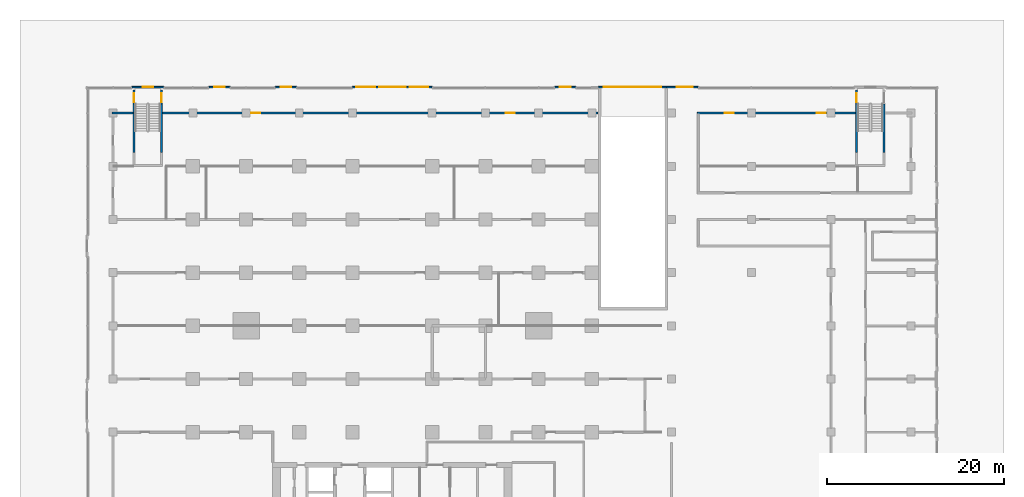
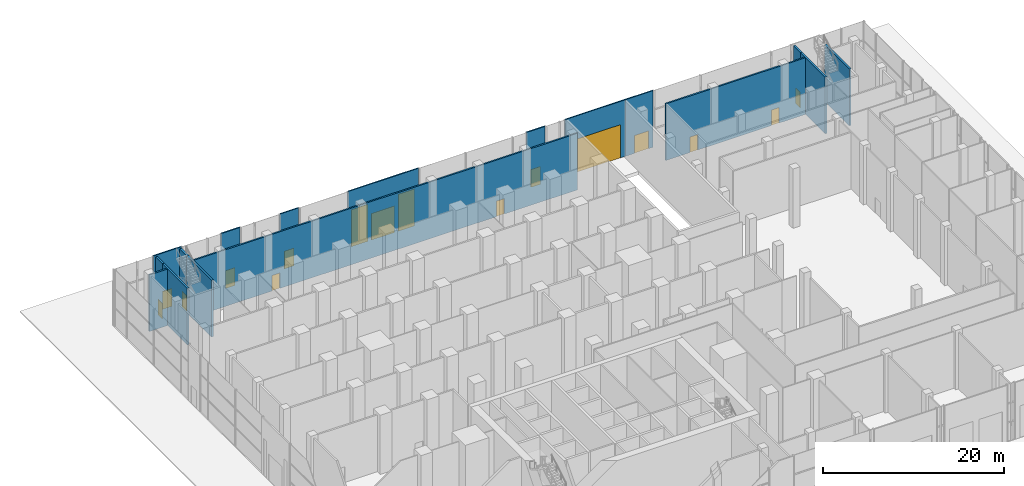
# One storey, part 25 of 29: 17 walls, 14 doors, 2 windows, 16 openings.
"""IFC4 building model written with IfcOpenShell, lengths in metres."""

from ifc_helpers import new_model, si_unit, direction, frame, frame_2d, origin, place, context, subcontext, project, spatial, rectangle, extrude, material, layer, layer_set, type_object, element, fill, save


model = new_model("IFC4")

# Units and contexts
model_context = context("Model", 3, precision=1e-05, world=origin(), true_north=direction((0.0, 1.0)))
body_context = subcontext(model_context, "Body", "Model", "MODEL_VIEW")
ifc_project = project(units=[si_unit("LENGTHUNIT", "METRE"), si_unit("AREAUNIT", "SQUARE_METRE"), si_unit("VOLUMEUNIT", "CUBIC_METRE"), si_unit("PLANEANGLEUNIT", "RADIAN"), si_unit("MASSUNIT", "GRAM", prefix="KILO")], contexts=[model_context])

# Site, building, storey
site_placement = place(None, origin())
site = spatial("IfcSite", under=ifc_project, at=site_placement, CompositionType="ELEMENT")
building_placement = place(site_placement, origin())
building = spatial("IfcBuilding", under=site, at=building_placement, Name="Finial Court Residences", CompositionType="ELEMENT")
storey_placement = place(building_placement, origin())
storey = spatial("IfcBuildingStorey", under=building, at=storey_placement, Name="L00", CompositionType="ELEMENT", Elevation=0.0)

# Wall
ifc_material_1 = material(Name="Gypsum board")
ifc_layer_1 = layer(ifc_material_1, 0.02490234375)
ifc_material_2 = material(Name="Acoustic mineral wool in double frame")
ifc_layer_2 = layer(ifc_material_2, 0.14990234375)
ifc_layer_3 = layer(ifc_material_1, 0.02490234375)
ifc_layer_set_1 = layer_set([ifc_layer_1, ifc_layer_2, ifc_layer_3], Name="Corridor wall 200, 1 hour")
wall_type_1 = type_object("IfcWallType", Name="Corridor wall 200, 1 hour", PredefinedType="PARTITIONING", material=ifc_layer_set_1)
wall_1_placement = place(storey_placement, frame((-31.60009765625, 31.5, 0.0), z_axis=(0.0, 0.0, 1.0), x_axis=(1.0, 0.0, 0.0)))
element("IfcWall", 1, at=wall_1_placement, inside=storey, type_object=wall_type_1, Name="Partition L00-030", PredefinedType="PARTITIONING", context=body_context, shape_type="SweptSolid", body=[
    extrude(rectangle(XDim=2.35009765625, YDim=0.199951171875, at=frame_2d((1.175048828125, 0.0))), origin(), (0.0, 0.0, 1.0), 7.64990234375),
])

# Wall, openings, doors
wall_2_placement = place(storey_placement, frame((-25.89990234375, 31.5, 0.0), z_axis=(0.0, 0.0, 1.0), x_axis=(1.0, 0.0, 0.0)))
wall_2 = element("IfcWall", 2, at=wall_2_placement, inside=storey, type_object=wall_type_1, Name="Partition L00-031", PredefinedType="PARTITIONING", context=body_context, shape_type="SweptSolid", body=[
    extrude(rectangle(XDim=49.0498046875, YDim=0.199951171875, at=frame_2d((24.52490234375, 0.0))), origin(), (0.0, 0.0, 1.0), 7.64990234375),
])
opening_1_placement = place(wall_2_placement, frame((10.0, 0.0, 0.0)))
opening_1 = element("IfcOpeningElement", 3, at=opening_1_placement, cuts=wall_2, Name="Opening L00-D031", PredefinedType="OPENING", context=body_context, shape_type="SweptSolid", body=[
    extrude(rectangle(XDim=1.0, YDim=2.10009765625, at=frame_2d((0.5, 1.050048828125))), frame((0.0, 0.10986328125, 0.0), z_axis=(0.0, -1.0, 0.0), x_axis=(1.0, 0.0, 0.0)), (0.0, 0.0, 1.0), 0.219970703125),
])
opening_2_placement = place(wall_2_placement, frame((38.699951171875, 0.0, 0.0)))
opening_2 = element("IfcOpeningElement", 4, at=opening_2_placement, cuts=wall_2, Name="Opening L00-D032", PredefinedType="OPENING", context=body_context, shape_type="SweptSolid", body=[
    extrude(rectangle(XDim=1.0, YDim=2.10009765625, at=frame_2d((0.5, 1.050048828125))), frame((0.0, 0.10986328125, 0.0), z_axis=(0.0, -1.0, 0.0), x_axis=(1.0, 0.0, 0.0)), (0.0, 0.0, 1.0), 0.219970703125),
])
ifc_material_3 = material(Name="Timber door leaf in hollow metal frame", Category="wood")
door_type_1 = type_object("IfcDoorType", Name="Fire door set 1000 x 2100, 30 minutes", OperationType="SINGLE_SWING_LEFT", PredefinedType="DOOR", material=ifc_material_3)
door_1_placement = place(opening_1_placement, origin())
door_1 = element("IfcDoor", 5, at=door_1_placement, inside=storey, type_object=door_type_1, Name="Door L00-D031", OperationType="SINGLE_SWING_LEFT", OverallHeight=2.10009765625, OverallWidth=1.0, PredefinedType="DOOR", context=body_context, shape_type="SweptSolid", body=[
    extrude(rectangle(XDim=1.0, YDim=2.10009765625, at=frame_2d((0.5, 1.050048828125))), frame((0.0, 0.02490234375, 0.0), z_axis=(0.0, -1.0, 0.0), x_axis=(1.0, 0.0, 0.0)), (0.0, 0.0, 1.0), 0.050048828125),
])
fill(opening_1, door_1)
door_2_placement = place(opening_2_placement, origin())
door_2 = element("IfcDoor", 6, at=door_2_placement, inside=storey, type_object=door_type_1, Name="Door L00-D032", OperationType="SINGLE_SWING_RIGHT", OverallHeight=2.10009765625, OverallWidth=1.0, PredefinedType="DOOR", context=body_context, shape_type="SweptSolid", body=[
    extrude(rectangle(XDim=1.0, YDim=2.10009765625, at=frame_2d((0.5, 1.050048828125))), frame((0.0, 0.02490234375, 0.0), z_axis=(0.0, -1.0, 0.0), x_axis=(1.0, 0.0, 0.0)), (0.0, 0.0, 1.0), 0.050048828125),
])
fill(opening_2, door_2)

wall_3_placement = place(storey_placement, frame((34.39990234375, 31.5, 0.0), z_axis=(0.0, 0.0, 1.0), x_axis=(1.0, 0.0, 0.0)))
wall_3 = element("IfcWall", 7, at=wall_3_placement, inside=storey, type_object=wall_type_1, Name="Partition L00-032", PredefinedType="PARTITIONING", context=body_context, shape_type="SweptSolid", body=[
    extrude(rectangle(XDim=17.85009765625, YDim=0.199951171875, at=frame_2d((8.925048828125, 0.0))), origin(), (0.0, 0.0, 1.0), 7.64990234375),
])
opening_3_placement = place(wall_3_placement, frame((3.10009765625, 0.0, 0.0)))
opening_3 = element("IfcOpeningElement", 8, at=opening_3_placement, cuts=wall_3, Name="Opening L00-D033", PredefinedType="OPENING", context=body_context, shape_type="SweptSolid", body=[
    extrude(rectangle(XDim=1.0, YDim=2.10009765625, at=frame_2d((0.5, 1.050048828125))), frame((0.0, 0.10986328125, 0.0), z_axis=(0.0, -1.0, 0.0), x_axis=(1.0, 0.0, 0.0)), (0.0, 0.0, 1.0), 0.219970703125),
])
opening_4_placement = place(wall_3_placement, frame((13.5, 0.0, 0.0)))
opening_4 = element("IfcOpeningElement", 9, at=opening_4_placement, cuts=wall_3, Name="Opening L00-D034", PredefinedType="OPENING", context=body_context, shape_type="SweptSolid", body=[
    extrude(rectangle(XDim=1.0, YDim=2.10009765625, at=frame_2d((0.5, 1.050048828125))), frame((0.0, 0.10986328125, 0.0), z_axis=(0.0, -1.0, 0.0), x_axis=(1.0, 0.0, 0.0)), (0.0, 0.0, 1.0), 0.219970703125),
])
door_3_placement = place(opening_3_placement, origin())
door_3 = element("IfcDoor", 10, at=door_3_placement, inside=storey, type_object=door_type_1, Name="Door L00-D033", OperationType="SINGLE_SWING_LEFT", OverallHeight=2.10009765625, OverallWidth=1.0, PredefinedType="DOOR", context=body_context, shape_type="SweptSolid", body=[
    extrude(rectangle(XDim=1.0, YDim=2.10009765625, at=frame_2d((0.5, 1.050048828125))), frame((0.0, 0.02490234375, 0.0), z_axis=(0.0, -1.0, 0.0), x_axis=(1.0, 0.0, 0.0)), (0.0, 0.0, 1.0), 0.050048828125),
])
fill(opening_3, door_3)
door_4_placement = place(opening_4_placement, origin())
door_4 = element("IfcDoor", 11, at=door_4_placement, inside=storey, type_object=door_type_1, Name="Door L00-D034", OperationType="SINGLE_SWING_RIGHT", OverallHeight=2.10009765625, OverallWidth=1.0, PredefinedType="DOOR", context=body_context, shape_type="SweptSolid", body=[
    extrude(rectangle(XDim=1.0, YDim=2.10009765625, at=frame_2d((0.5, 1.050048828125))), frame((0.0, 0.02490234375, 0.0), z_axis=(0.0, -1.0, 0.0), x_axis=(1.0, 0.0, 0.0)), (0.0, 0.0, 1.0), 0.050048828125),
])
fill(opening_4, door_4)

# Wall, opening, door
ifc_material_4 = material(Name="Natural limestone", Category="masonry")
ifc_layer_4 = layer(ifc_material_4, 0.14990234375)
ifc_layer_set_2 = layer_set([ifc_layer_4], Name="Entrance portal wall, limestone 150")
wall_type_2 = type_object("IfcWallType", Name="Entrance portal wall, limestone 150", PredefinedType="SOLIDWALL", material=ifc_layer_set_2)
wall_4_placement = place(storey_placement, frame((-29.375, 34.425048828125, 0.0), z_axis=(0.0, 0.0, 1.0), x_axis=(1.0, 0.0, 0.0)))
wall_4 = element("IfcWall", 12, at=wall_4_placement, inside=storey, type_object=wall_type_2, Name="E-L00-ENT7", PredefinedType="SOLIDWALL", context=body_context, shape_type="SweptSolid", body=[
    extrude(rectangle(XDim=3.60009765625, YDim=0.14990234375, at=frame_2d((1.800048828125, 0.0))), origin(), (0.0, 0.0, 1.0), 7.64990234375),
])
opening_5_placement = place(wall_4_placement, frame((1.199951171875, 0.0, 0.0)))
opening_5 = element("IfcOpeningElement", 13, at=opening_5_placement, cuts=wall_4, Name="Opening DE00-07", PredefinedType="OPENING", context=body_context, shape_type="SweptSolid", body=[
    extrude(rectangle(XDim=1.199951171875, YDim=2.39990234375, at=frame_2d((0.60009765625, 1.199951171875))), frame((0.0, 0.0849609375, 0.0), z_axis=(0.0, -1.0, 0.0), x_axis=(1.0, 0.0, 0.0)), (0.0, 0.0, 1.0), 0.169921875),
])
ifc_material_5 = material(Name="Steel S355", Category="steel")
door_type_2 = type_object("IfcDoorType", Name="Stair discharge door 1200 x 2400", OperationType="SINGLE_SWING_LEFT", PredefinedType="DOOR", material=ifc_material_5)
door_5_placement = place(opening_5_placement, origin())
door_5 = element("IfcDoor", 14, at=door_5_placement, inside=storey, type_object=door_type_2, Name="E-L00-ENT7-D", OperationType="SINGLE_SWING_RIGHT", OverallHeight=2.39990234375, OverallWidth=1.199951171875, PredefinedType="DOOR", context=body_context, shape_type="SweptSolid", body=[
    extrude(rectangle(XDim=1.199951171875, YDim=2.39990234375, at=frame_2d((0.60009765625, 1.199951171875))), frame((0.0, 0.02490234375, 0.0), z_axis=(0.0, -1.0, 0.0), x_axis=(1.0, 0.0, 0.0)), (0.0, 0.0, 1.0), 0.050048828125),
])
fill(opening_5, door_5)

# Wall, openings, door, windows
wall_5_placement = place(storey_placement, frame((-4.5, 34.425048828125, 0.0), z_axis=(0.0, 0.0, 1.0), x_axis=(1.0, 0.0, 0.0)))
wall_5 = element("IfcWall", 15, at=wall_5_placement, inside=storey, type_object=wall_type_2, Name="E-L00-ENT9", PredefinedType="SOLIDWALL", context=body_context, shape_type="SweptSolid", body=[
    extrude(rectangle(XDim=9.0, YDim=0.14990234375, at=frame_2d((4.5, 0.0))), origin(), (0.0, 0.0, 1.0), 7.64990234375),
])
opening_6_placement = place(wall_5_placement, frame((3.0, 0.0, 0.0)))
opening_6 = element("IfcOpeningElement", 16, at=opening_6_placement, cuts=wall_5, Name="Opening DE00-09", PredefinedType="OPENING", context=body_context, shape_type="SweptSolid", body=[
    extrude(rectangle(XDim=3.0, YDim=3.60009765625, at=frame_2d((1.5, 1.800048828125))), frame((0.0, 0.0849609375, 0.0), z_axis=(0.0, -1.0, 0.0), x_axis=(1.0, 0.0, 0.0)), (0.0, 0.0, 1.0), 0.169921875),
])
opening_7_placement = place(wall_5_placement, frame((0.449951171875, 0.0, 0.0)))
opening_7 = element("IfcOpeningElement", 17, at=opening_7_placement, cuts=wall_5, Name="Opening WE00-03", PredefinedType="OPENING", context=body_context, shape_type="SweptSolid", body=[
    extrude(rectangle(XDim=2.10009765625, YDim=5.0, at=frame_2d((1.050048828125, 2.5))), frame((0.0, 0.0849609375, 0.0), z_axis=(0.0, -1.0, 0.0), x_axis=(1.0, 0.0, 0.0)), (0.0, 0.0, 1.0), 0.169921875),
])
opening_8_placement = place(wall_5_placement, frame((6.449951171875, 0.0, 0.0)))
opening_8 = element("IfcOpeningElement", 18, at=opening_8_placement, cuts=wall_5, Name="Opening WE00-04", PredefinedType="OPENING", context=body_context, shape_type="SweptSolid", body=[
    extrude(rectangle(XDim=2.10009765625, YDim=5.0, at=frame_2d((1.050048828125, 2.5))), frame((0.0, 0.0849609375, 0.0), z_axis=(0.0, -1.0, 0.0), x_axis=(1.0, 0.0, 0.0)), (0.0, 0.0, 1.0), 0.169921875),
])
ifc_material_6 = material(Name="Bronze anodised aluminium", Category="aluminium")
door_type_3 = type_object("IfcDoorType", Name="Entrance door set 3000 x 3600", OperationType="DOUBLE_DOOR_SINGLE_SWING", PredefinedType="DOOR", material=ifc_material_6)
door_6_placement = place(opening_6_placement, origin())
door_6 = element("IfcDoor", 19, at=door_6_placement, inside=storey, type_object=door_type_3, Name="E-L00-ENT9-D", OperationType="DOUBLE_DOOR_SINGLE_SWING", OverallHeight=3.60009765625, OverallWidth=3.0, PredefinedType="DOOR", context=body_context, shape_type="SweptSolid", body=[
    extrude(rectangle(XDim=3.0, YDim=3.60009765625, at=frame_2d((1.5, 1.800048828125))), frame((0.0, 0.02490234375, 0.0), z_axis=(0.0, -1.0, 0.0), x_axis=(1.0, 0.0, 0.0)), (0.0, 0.0, 1.0), 0.050048828125),
])
fill(opening_6, door_6)
ifc_material_7 = material(Name="Clear low-e glass", Category="glass")
window_type = type_object("IfcWindowType", Name="Entrance side light 2100 x 5000", PartitioningType="SINGLE_PANEL", PredefinedType="WINDOW", material=ifc_material_7)
window_1_placement = place(opening_7_placement, origin())
window_1 = element("IfcWindow", 20, at=window_1_placement, inside=storey, type_object=window_type, Name="E-L00-ENT9-W1", OverallHeight=5.0, OverallWidth=2.10009765625, PartitioningType="SINGLE_PANEL", PredefinedType="WINDOW", context=body_context, shape_type="SweptSolid", body=[
    extrude(rectangle(XDim=2.10009765625, YDim=5.0, at=frame_2d((1.050048828125, 2.5))), frame((0.0, 0.030029296875, 0.0), z_axis=(0.0, -1.0, 0.0), x_axis=(1.0, 0.0, 0.0)), (0.0, 0.0, 1.0), 0.06005859375),
])
fill(opening_7, window_1)
window_2_placement = place(opening_8_placement, origin())
window_2 = element("IfcWindow", 21, at=window_2_placement, inside=storey, type_object=window_type, Name="E-L00-ENT9-W2", OverallHeight=5.0, OverallWidth=2.10009765625, PartitioningType="SINGLE_PANEL", PredefinedType="WINDOW", context=body_context, shape_type="SweptSolid", body=[
    extrude(rectangle(XDim=2.10009765625, YDim=5.0, at=frame_2d((1.050048828125, 2.5))), frame((0.0, 0.030029296875, 0.0), z_axis=(0.0, -1.0, 0.0), x_axis=(1.0, 0.0, 0.0)), (0.0, 0.0, 1.0), 0.06005859375),
])
fill(opening_8, window_2)

# Wall, opening, door
wall_6_placement = place(storey_placement, frame((-20.699951171875, 34.425048828125, 0.0), z_axis=(0.0, 0.0, 1.0), x_axis=(1.0, 0.0, 0.0)))
wall_6 = element("IfcWall", 22, at=wall_6_placement, inside=storey, type_object=wall_type_2, Name="E-L00-ENT10", PredefinedType="SOLIDWALL", context=body_context, shape_type="SweptSolid", body=[
    extrude(rectangle(XDim=2.39990234375, YDim=0.14990234375, at=frame_2d((1.199951171875, 0.0))), origin(), (0.0, 0.0, 1.0), 7.64990234375),
])
opening_9_placement = place(wall_6_placement, frame((0.60009765625, 0.0, 0.0)))
opening_9 = element("IfcOpeningElement", 23, at=opening_9_placement, cuts=wall_6, Name="Opening DE00-10", PredefinedType="OPENING", context=body_context, shape_type="SweptSolid", body=[
    extrude(rectangle(XDim=1.199951171875, YDim=2.39990234375, at=frame_2d((0.60009765625, 1.199951171875))), frame((0.0, 0.0849609375, 0.0), z_axis=(0.0, -1.0, 0.0), x_axis=(1.0, 0.0, 0.0)), (0.0, 0.0, 1.0), 0.169921875),
])
door_type_4 = type_object("IfcDoorType", Name="Shopfront entrance door 1200 x 2400", OperationType="SINGLE_SWING_LEFT", PredefinedType="DOOR", material=ifc_material_6)
door_7_placement = place(opening_9_placement, origin())
door_7 = element("IfcDoor", 24, at=door_7_placement, inside=storey, type_object=door_type_4, Name="E-L00-ENT10-D", OperationType="SINGLE_SWING_LEFT", OverallHeight=2.39990234375, OverallWidth=1.199951171875, PredefinedType="DOOR", context=body_context, shape_type="SweptSolid", body=[
    extrude(rectangle(XDim=1.199951171875, YDim=2.39990234375, at=frame_2d((0.60009765625, 1.199951171875))), frame((0.0, 0.02490234375, 0.0), z_axis=(0.0, -1.0, 0.0), x_axis=(1.0, 0.0, 0.0)), (0.0, 0.0, 1.0), 0.050048828125),
])
fill(opening_9, door_7)

wall_7_placement = place(storey_placement, frame((-13.199951171875, 34.425048828125, 0.0), z_axis=(0.0, 0.0, 1.0), x_axis=(1.0, 0.0, 0.0)))
wall_7 = element("IfcWall", 25, at=wall_7_placement, inside=storey, type_object=wall_type_2, Name="E-L00-ENT11", PredefinedType="SOLIDWALL", context=body_context, shape_type="SweptSolid", body=[
    extrude(rectangle(XDim=2.39990234375, YDim=0.14990234375, at=frame_2d((1.199951171875, 0.0))), origin(), (0.0, 0.0, 1.0), 7.64990234375),
])
opening_10_placement = place(wall_7_placement, frame((0.60009765625, 0.0, 0.0)))
opening_10 = element("IfcOpeningElement", 26, at=opening_10_placement, cuts=wall_7, Name="Opening DE00-11", PredefinedType="OPENING", context=body_context, shape_type="SweptSolid", body=[
    extrude(rectangle(XDim=1.199951171875, YDim=2.39990234375, at=frame_2d((0.60009765625, 1.199951171875))), frame((0.0, 0.0849609375, 0.0), z_axis=(0.0, -1.0, 0.0), x_axis=(1.0, 0.0, 0.0)), (0.0, 0.0, 1.0), 0.169921875),
])
door_8_placement = place(opening_10_placement, origin())
door_8 = element("IfcDoor", 27, at=door_8_placement, inside=storey, type_object=door_type_4, Name="E-L00-ENT11-D", OperationType="SINGLE_SWING_RIGHT", OverallHeight=2.39990234375, OverallWidth=1.199951171875, PredefinedType="DOOR", context=body_context, shape_type="SweptSolid", body=[
    extrude(rectangle(XDim=1.199951171875, YDim=2.39990234375, at=frame_2d((0.60009765625, 1.199951171875))), frame((0.0, 0.02490234375, 0.0), z_axis=(0.0, -1.0, 0.0), x_axis=(1.0, 0.0, 0.0)), (0.0, 0.0, 1.0), 0.050048828125),
])
fill(opening_10, door_8)

wall_8_placement = place(storey_placement, frame((18.300048828125, 34.425048828125, 0.0), z_axis=(0.0, 0.0, 1.0), x_axis=(1.0, 0.0, 0.0)))
wall_8 = element("IfcWall", 28, at=wall_8_placement, inside=storey, type_object=wall_type_2, Name="E-L00-ENT12", PredefinedType="SOLIDWALL", context=body_context, shape_type="SweptSolid", body=[
    extrude(rectangle(XDim=2.39990234375, YDim=0.14990234375, at=frame_2d((1.199951171875, 0.0))), origin(), (0.0, 0.0, 1.0), 7.64990234375),
])
opening_11_placement = place(wall_8_placement, frame((0.60009765625, 0.0, 0.0)))
opening_11 = element("IfcOpeningElement", 29, at=opening_11_placement, cuts=wall_8, Name="Opening DE00-12", PredefinedType="OPENING", context=body_context, shape_type="SweptSolid", body=[
    extrude(rectangle(XDim=1.199951171875, YDim=2.39990234375, at=frame_2d((0.60009765625, 1.199951171875))), frame((0.0, 0.0849609375, 0.0), z_axis=(0.0, -1.0, 0.0), x_axis=(1.0, 0.0, 0.0)), (0.0, 0.0, 1.0), 0.169921875),
])
door_9_placement = place(opening_11_placement, origin())
door_9 = element("IfcDoor", 30, at=door_9_placement, inside=storey, type_object=door_type_4, Name="E-L00-ENT12-D", OperationType="SINGLE_SWING_LEFT", OverallHeight=2.39990234375, OverallWidth=1.199951171875, PredefinedType="DOOR", context=body_context, shape_type="SweptSolid", body=[
    extrude(rectangle(XDim=1.199951171875, YDim=2.39990234375, at=frame_2d((0.60009765625, 1.199951171875))), frame((0.0, 0.02490234375, 0.0), z_axis=(0.0, -1.0, 0.0), x_axis=(1.0, 0.0, 0.0)), (0.0, 0.0, 1.0), 0.050048828125),
])
fill(opening_11, door_9)

wall_9_placement = place(storey_placement, frame((23.25, 34.425048828125, 0.0), z_axis=(0.0, 0.0, 1.0), x_axis=(1.0, 0.0, 0.0)))
wall_9 = element("IfcWall", 31, at=wall_9_placement, inside=storey, type_object=wall_type_2, Name="E-L00-ENT17", PredefinedType="SOLIDWALL", context=body_context, shape_type="SweptSolid", body=[
    extrude(rectangle(XDim=7.699951171875, YDim=0.14990234375, at=frame_2d((3.85009765625, 0.0))), origin(), (0.0, 0.0, 1.0), 7.64990234375),
])
opening_12_placement = place(wall_9_placement, frame((0.60009765625, 0.0, 0.0)))
opening_12 = element("IfcOpeningElement", 32, at=opening_12_placement, cuts=wall_9, Name="Opening DE00-17", PredefinedType="OPENING", context=body_context, shape_type="SweptSolid", body=[
    extrude(rectangle(XDim=6.5, YDim=4.5, at=frame_2d((3.25, 2.25))), frame((0.0, 0.0849609375, 0.0), z_axis=(0.0, -1.0, 0.0), x_axis=(1.0, 0.0, 0.0)), (0.0, 0.0, 1.0), 0.169921875),
])
door_type_5 = type_object("IfcDoorType", Name="Vehicle gate, overhead roller 6500 x 4500", OperationType="ROLLINGUP", PredefinedType="DOOR", material=ifc_material_5)
door_10_placement = place(opening_12_placement, origin())
door_10 = element("IfcDoor", 33, at=door_10_placement, inside=storey, type_object=door_type_5, Name="E-L00-ENT17-D", OperationType="ROLLINGUP", OverallHeight=4.5, OverallWidth=6.5, PredefinedType="DOOR", context=body_context, shape_type="SweptSolid", body=[
    extrude(rectangle(XDim=6.5, YDim=4.5, at=frame_2d((3.25, 2.25))), frame((0.0, 0.02490234375, 0.0), z_axis=(0.0, -1.0, 0.0), x_axis=(1.0, 0.0, 0.0)), (0.0, 0.0, 1.0), 0.050048828125),
])
fill(opening_12, door_10)

wall_10_placement = place(storey_placement, frame((30.949951171875, 34.425048828125, 0.0), z_axis=(0.0, 0.0, 1.0), x_axis=(1.0, 0.0, 0.0)))
wall_10 = element("IfcWall", 34, at=wall_10_placement, inside=storey, type_object=wall_type_2, Name="E-L00-ENT27", PredefinedType="SOLIDWALL", context=body_context, shape_type="SweptSolid", body=[
    extrude(rectangle(XDim=3.550048828125, YDim=0.14990234375, at=frame_2d((1.77490234375, 0.0))), origin(), (0.0, 0.0, 1.0), 7.64990234375),
])
opening_13_placement = place(wall_10_placement, frame((1.14990234375, 0.0, 0.0)))
opening_13 = element("IfcOpeningElement", 35, at=opening_13_placement, cuts=wall_10, Name="Opening DE00-31", PredefinedType="OPENING", context=body_context, shape_type="SweptSolid", body=[
    extrude(rectangle(XDim=1.800048828125, YDim=2.39990234375, at=frame_2d((0.89990234375, 1.199951171875))), frame((0.0, 0.0849609375, 0.0), z_axis=(0.0, -1.0, 0.0), x_axis=(1.0, 0.0, 0.0)), (0.0, 0.0, 1.0), 0.169921875),
])
door_type_6 = type_object("IfcDoorType", Name="Street entrance door, double leaf 1800 x 2400", OperationType="DOUBLE_DOOR_SINGLE_SWING", PredefinedType="DOOR", material=ifc_material_6)
door_11_placement = place(opening_13_placement, origin())
door_11 = element("IfcDoor", 36, at=door_11_placement, inside=storey, type_object=door_type_6, Name="E-L00-ENT27-D", OperationType="DOUBLE_DOOR_SINGLE_SWING", OverallHeight=2.39990234375, OverallWidth=1.800048828125, PredefinedType="DOOR", context=body_context, shape_type="SweptSolid", body=[
    extrude(rectangle(XDim=1.800048828125, YDim=2.39990234375, at=frame_2d((0.89990234375, 1.199951171875))), frame((0.0, 0.02490234375, 0.0), z_axis=(0.0, -1.0, 0.0), x_axis=(1.0, 0.0, 0.0)), (0.0, 0.0, 1.0), 0.050048828125),
])
fill(opening_13, door_11)

ifc_material_8 = material(Name="Concrete C50/60", Category="concrete")
ifc_layer_5 = layer(ifc_material_8, 0.25)
ifc_layer_set_3 = layer_set([ifc_layer_5], Name="Stair enclosure wall 250 Concrete C50/60")
wall_type_3 = type_object("IfcWallType", Name="Stair enclosure wall 250 Concrete C50/60", PredefinedType="SHEAR", material=ifc_layer_set_3)
wall_11_placement = place(storey_placement, frame((52.375, 34.10009765625, 0.0), z_axis=(0.0, 0.0, 1.0), x_axis=(0.0, -1.0, 0.0)))
wall_11 = element("IfcWall", 37, at=wall_11_placement, inside=storey, type_object=wall_type_3, Name="Exit Stair 5 enclosure wall L00-W1", PredefinedType="SHEAR", context=body_context, shape_type="SweptSolid", body=[
    extrude(rectangle(XDim=1.550048828125, YDim=0.25, at=frame_2d((0.77490234375, 0.0))), origin(), (0.0, 0.0, 1.0), 7.64990234375),
])
opening_14_placement = place(wall_11_placement, frame((0.35009765625, 0.0, 0.0)))
opening_14 = element("IfcOpeningElement", 38, at=opening_14_placement, cuts=wall_11, Name="Opening L00-S5", PredefinedType="OPENING", context=body_context, shape_type="SweptSolid", body=[
    extrude(rectangle(XDim=1.0, YDim=2.10009765625, at=frame_2d((0.5, 1.050048828125))), frame((0.0, 0.135009765625, 0.0), z_axis=(0.0, -1.0, 0.0), x_axis=(1.0, 0.0, 0.0)), (0.0, 0.0, 1.0), 0.27001953125),
])
ifc_material_9 = material(Name="Steel fire door", Category="steel")
door_type_7 = type_object("IfcDoorType", Name="Stair door 1000 x 2100 EI 90", OperationType="NOTDEFINED", PredefinedType="DOOR", material=ifc_material_9)
door_12_placement = place(opening_14_placement, origin())
door_12 = element("IfcDoor", 39, at=door_12_placement, inside=storey, type_object=door_type_7, Name="Exit Stair 5 door L00", OperationType="SINGLE_SWING_LEFT", OverallHeight=2.10009765625, OverallWidth=1.0, PredefinedType="DOOR", context=body_context, shape_type="SweptSolid", body=[
    extrude(rectangle(XDim=1.0, YDim=2.10009765625, at=frame_2d((0.5, 1.050048828125))), frame((0.0, 0.02490234375, 0.0), z_axis=(0.0, -1.0, 0.0), x_axis=(1.0, 0.0, 0.0)), (0.0, 0.0, 1.0), 0.050048828125),
])
fill(opening_14, door_12)

# Walls
for number, where, z_axis, x_axis, name in (
    (40, (52.375, 27.070068359375, 0.0), (0.0, 0.0, 1.0), (0.0, 1.0, 0.0), "Exit Stair 5 enclosure wall L00-W2"),
    (41, (55.47509765625, 27.070068359375, 0.0), (0.0, 0.0, 1.0), (0.0, 1.0, 0.0), "Exit Stair 5 enclosure wall L00-E2"),
):
    element("IfcWall", number, at=place(storey_placement, frame(where, z_axis=z_axis, x_axis=x_axis)), inside=storey, type_object=wall_type_3, Name=name, PredefinedType="SHEAR", context=body_context, shape_type="SweptSolid", body=[
        extrude(rectangle(XDim=5.47998046875, YDim=0.25, at=frame_2d((2.739990234375, 0.0))), origin(), (0.0, 0.0, 1.0), 7.64990234375),
    ])

# Wall, opening, door
wall_12_placement = place(storey_placement, frame((-29.125, 34.10009765625, 0.0), z_axis=(0.0, 0.0, 1.0), x_axis=(0.0, -1.0, 0.0)))
wall_12 = element("IfcWall", 42, at=wall_12_placement, inside=storey, type_object=wall_type_3, Name="Exit Stair 6 enclosure wall L00-W1", PredefinedType="SHEAR", context=body_context, shape_type="SweptSolid", body=[
    extrude(rectangle(XDim=1.550048828125, YDim=0.25, at=frame_2d((0.77490234375, 0.0))), origin(), (0.0, 0.0, 1.0), 7.64990234375),
])
opening_15_placement = place(wall_12_placement, frame((0.35009765625, 0.0, 0.0)))
opening_15 = element("IfcOpeningElement", 43, at=opening_15_placement, cuts=wall_12, Name="Opening L00-S6", PredefinedType="OPENING", context=body_context, shape_type="SweptSolid", body=[
    extrude(rectangle(XDim=1.0, YDim=2.10009765625, at=frame_2d((0.5, 1.050048828125))), frame((0.0, 0.135009765625, 0.0), z_axis=(0.0, -1.0, 0.0), x_axis=(1.0, 0.0, 0.0)), (0.0, 0.0, 1.0), 0.27001953125),
])
door_13_placement = place(opening_15_placement, origin())
door_13 = element("IfcDoor", 44, at=door_13_placement, inside=storey, type_object=door_type_7, Name="Exit Stair 6 door L00", OperationType="SINGLE_SWING_LEFT", OverallHeight=2.10009765625, OverallWidth=1.0, PredefinedType="DOOR", context=body_context, shape_type="SweptSolid", body=[
    extrude(rectangle(XDim=1.0, YDim=2.10009765625, at=frame_2d((0.5, 1.050048828125))), frame((0.0, 0.02490234375, 0.0), z_axis=(0.0, -1.0, 0.0), x_axis=(1.0, 0.0, 0.0)), (0.0, 0.0, 1.0), 0.050048828125),
])
fill(opening_15, door_13)

# Wall
wall_13_placement = place(storey_placement, frame((-29.125, 27.070068359375, 0.0), z_axis=(0.0, 0.0, 1.0), x_axis=(0.0, 1.0, 0.0)))
element("IfcWall", 45, at=wall_13_placement, inside=storey, type_object=wall_type_3, Name="Exit Stair 6 enclosure wall L00-W2", PredefinedType="SHEAR", context=body_context, shape_type="SweptSolid", body=[
    extrude(rectangle(XDim=5.47998046875, YDim=0.25, at=frame_2d((2.739990234375, 0.0))), origin(), (0.0, 0.0, 1.0), 7.64990234375),
])

# Wall, opening, door
wall_14_placement = place(storey_placement, frame((-26.02490234375, 32.550048828125, 0.0), z_axis=(0.0, 0.0, 1.0), x_axis=(0.0, 1.0, 0.0)))
wall_14 = element("IfcWall", 46, at=wall_14_placement, inside=storey, type_object=wall_type_3, Name="Exit Stair 6 enclosure wall L00-E1", PredefinedType="SHEAR", context=body_context, shape_type="SweptSolid", body=[
    extrude(rectangle(XDim=1.550048828125, YDim=0.25, at=frame_2d((0.77490234375, 0.0))), origin(), (0.0, 0.0, 1.0), 7.64990234375),
])
opening_16_placement = place(wall_14_placement, frame((0.199951171875, 0.0, 0.0)))
opening_16 = element("IfcOpeningElement", 47, at=opening_16_placement, cuts=wall_14, Name="Opening L00-S6E", PredefinedType="OPENING", context=body_context, shape_type="SweptSolid", body=[
    extrude(rectangle(XDim=1.0, YDim=2.10009765625, at=frame_2d((0.5, 1.050048828125))), frame((0.0, 0.135009765625, 0.0), z_axis=(0.0, -1.0, 0.0), x_axis=(1.0, 0.0, 0.0)), (0.0, 0.0, 1.0), 0.27001953125),
])
door_14_placement = place(opening_16_placement, origin())
door_14 = element("IfcDoor", 48, at=door_14_placement, inside=storey, type_object=door_type_7, Name="Exit Stair 6 east door L00", OperationType="SINGLE_SWING_RIGHT", OverallHeight=2.10009765625, OverallWidth=1.0, PredefinedType="DOOR", context=body_context, shape_type="SweptSolid", body=[
    extrude(rectangle(XDim=1.0, YDim=2.10009765625, at=frame_2d((0.5, 1.050048828125))), frame((0.0, 0.02490234375, 0.0), z_axis=(0.0, -1.0, 0.0), x_axis=(1.0, 0.0, 0.0)), (0.0, 0.0, 1.0), 0.050048828125),
])
fill(opening_16, door_14)

# Wall
wall_15_placement = place(storey_placement, frame((-26.02490234375, 27.070068359375, 0.0), z_axis=(0.0, 0.0, 1.0), x_axis=(0.0, 1.0, 0.0)))
element("IfcWall", 49, at=wall_15_placement, inside=storey, type_object=wall_type_3, Name="Exit Stair 6 enclosure wall L00-E2", PredefinedType="SHEAR", context=body_context, shape_type="SweptSolid", body=[
    extrude(rectangle(XDim=5.47998046875, YDim=0.25, at=frame_2d((2.739990234375, 0.0))), origin(), (0.0, 0.0, 1.0), 7.64990234375),
])

save(model, "model.ifc")
